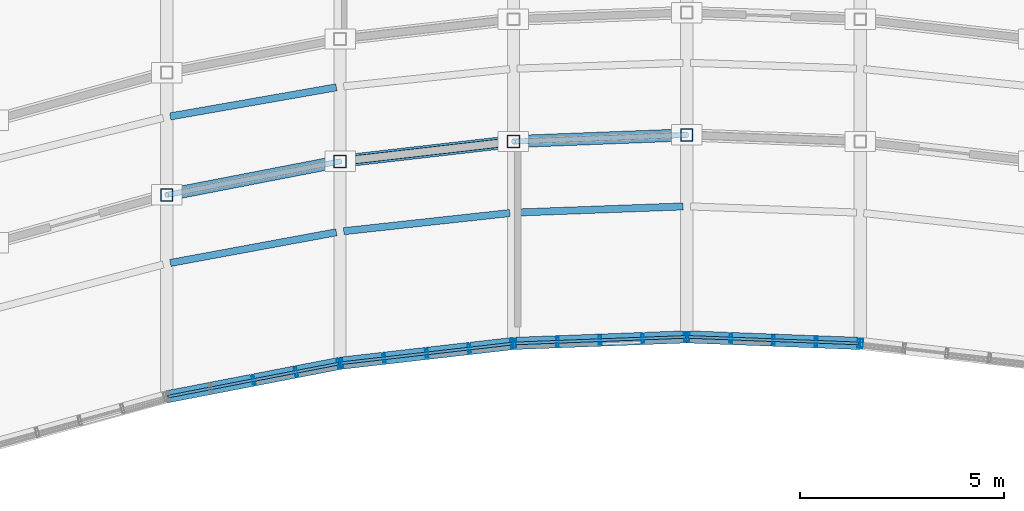
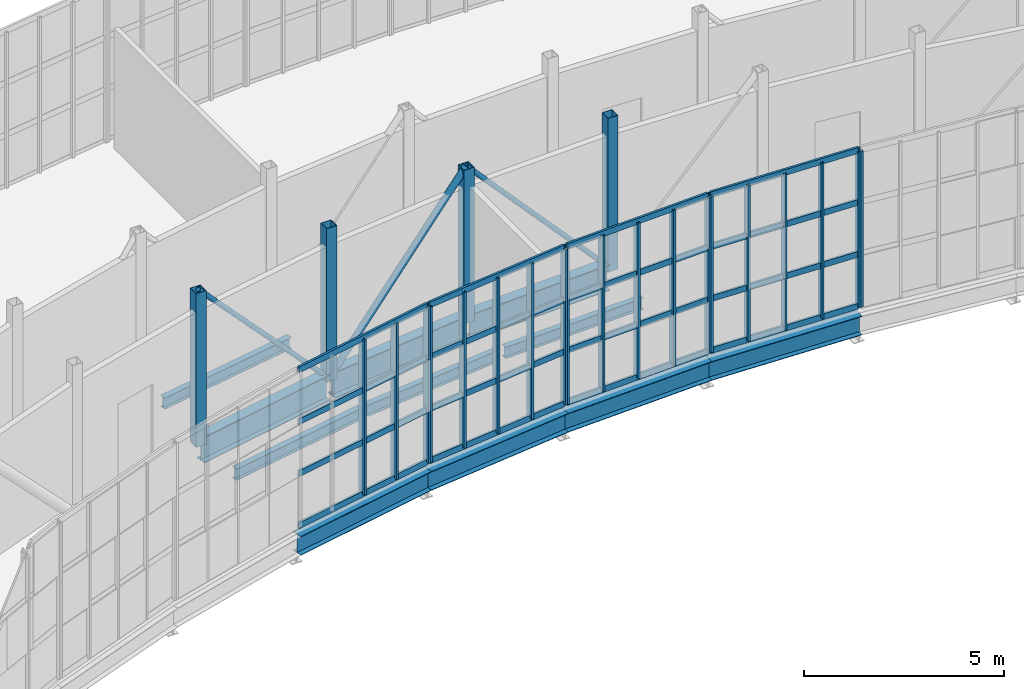
# One storey, part 19 of 66: 42 members, 11 beams, 5 elements without a shape of their own.
"""IFC4 building model written with IfcOpenShell, lengths in metres."""

from ifc_helpers import new_model, si_unit, direction, frame, origin, origin_2d, place, context, subcontext, project, spatial, hollow_rectangle, hollow_circle, i_section, extrude, material, material_profile, profile_set, type_object, element, aggregate, save


model = new_model("IFC4")

# Units and contexts
model_context = context("Model", 3, precision=1e-05, world=origin(), true_north=direction((0.0, 1.0)))
body_context = subcontext(model_context, "Body", "Model", "MODEL_VIEW")
ifc_project = project(units=[si_unit("LENGTHUNIT", "METRE"), si_unit("AREAUNIT", "SQUARE_METRE"), si_unit("VOLUMEUNIT", "CUBIC_METRE"), si_unit("PLANEANGLEUNIT", "RADIAN"), si_unit("MASSUNIT", "GRAM", prefix="KILO")], contexts=[model_context])

# Site, building, storey
site_placement = place(None, origin())
site = spatial("IfcSite", under=ifc_project, at=site_placement, CompositionType="ELEMENT")
building_placement = place(site_placement, origin())
building = spatial("IfcBuilding", under=site, at=building_placement, Name="Solvikara Media Centre", CompositionType="ELEMENT")
storey_placement = place(building_placement, frame((0.0, 0.0, 19.800048828125)))
storey = spatial("IfcBuildingStorey", under=building, at=storey_placement, Name="L04", CompositionType="ELEMENT", Elevation=19.800048828125)

# Beams
ifc_material_1 = material(Name="Steel S355JR", Category="steel")
ifc_material_profile_1 = material_profile(ifc_material_1, i_section(OverallWidth=0.300048828125, OverallDepth=0.800048828125, WebThickness=0.013916015625, FlangeThickness=0.02587890625, at=origin_2d()), Name="WF 800x300x14x26")
ifc_profile_set_1 = profile_set([ifc_material_profile_1], Name="Steel S355JR")
beam_type_1 = type_object("IfcBeamType", Name="BM-16", PredefinedType="BEAM", material=ifc_profile_set_1)
beam_1_placement = place(storey_placement, frame((89.337890625, 28.962890625, -0.6220703125), z_axis=(0.981801087979, 0.189912147171, 0.0), x_axis=(-0.189912147171, 0.981801087979, 0.0)))
element("IfcBeam", 1, at=beam_1_placement, inside=storey, type_object=beam_type_1, Name="B-L04-SPNS-03", PredefinedType="BEAM", context=body_context, shape_type="SweptSolid", body=[
    extrude(i_section(OverallWidth=0.300048828125, OverallDepth=0.800048828125, WebThickness=0.013916015625, FlangeThickness=0.02587890625, at=origin_2d()), origin(), (0.0, 0.0, 1.0), 4.149658203125),
])
beam_2_placement = place(storey_placement, frame((93.589111328125, 29.778076171875, -0.6220703125), z_axis=(0.993485932274, 0.113954826025, 0.0), x_axis=(-0.113954826025, 0.993485932274, 0.0)))
element("IfcBeam", 2, at=beam_2_placement, inside=storey, type_object=beam_type_1, Name="B-L04-SPNS-04", PredefinedType="BEAM", context=body_context, shape_type="SweptSolid", body=[
    extrude(i_section(OverallWidth=0.300048828125, OverallDepth=0.800048828125, WebThickness=0.013916015625, FlangeThickness=0.02587890625, at=origin_2d()), origin(), (0.0, 0.0, 1.0), 4.098388671875),
])
beam_3_placement = place(storey_placement, frame((97.840087890625, 30.258056640625, -0.6220703125), z_axis=(0.999266124753, 0.038304202383, 0.0), x_axis=(-0.038304202383, 0.999266124753, 0.0)))
element("IfcBeam", 3, at=beam_3_placement, inside=storey, type_object=beam_type_1, Name="B-L04-SPNS-05", PredefinedType="BEAM", context=body_context, shape_type="SweptSolid", body=[
    extrude(i_section(OverallWidth=0.300048828125, OverallDepth=0.800048828125, WebThickness=0.013916015625, FlangeThickness=0.02587890625, at=origin_2d()), origin(), (0.0, 0.0, 1.0), 4.07275390625),
])
ifc_material_profile_2 = material_profile(ifc_material_1, i_section(OverallWidth=0.175048828125, OverallDepth=0.35009765625, WebThickness=0.007080078125, FlangeThickness=0.010986328125, at=origin_2d()), Name="WF 350x175x7x11")
ifc_profile_set_2 = profile_set([ifc_material_profile_2], Name="Steel S355JR")
beam_type_2 = type_object("IfcBeamType", Name="BM-22", PredefinedType="JOIST", material=ifc_profile_set_2)
beam_4_placement = place(storey_placement, frame((89.339111328125, 27.279052734375, -0.39697265625), z_axis=(0.983371814175, 0.181603620797, 0.0), x_axis=(-0.181603620797, 0.983371814175, 0.0)))
element("IfcBeam", 4, at=beam_4_placement, inside=storey, type_object=beam_type_2, Name="BJ-L04-03-20", PredefinedType="JOIST", context=body_context, shape_type="SweptSolid", body=[
    extrude(i_section(OverallWidth=0.175048828125, OverallDepth=0.35009765625, WebThickness=0.007080078125, FlangeThickness=0.010986328125, at=origin_2d()), origin(), (0.0, 0.0, 1.0), 4.140625),
])
beam_5_placement = place(storey_placement, frame((89.339111328125, 30.87109375, -0.39697265625), z_axis=(0.985016925608, 0.172457694134, 0.0), x_axis=(-0.172457694134, 0.985016925608, 0.0)))
element("IfcBeam", 5, at=beam_5_placement, inside=storey, type_object=beam_type_2, Name="BJ-L04-03-42", PredefinedType="JOIST", context=body_context, shape_type="SweptSolid", body=[
    extrude(i_section(OverallWidth=0.175048828125, OverallDepth=0.35009765625, WebThickness=0.007080078125, FlangeThickness=0.010986328125, at=origin_2d()), origin(), (0.0, 0.0, 1.0), 4.1337890625),
])
beam_6_placement = place(storey_placement, frame((93.589111328125, 28.056884765625, -0.39697265625), z_axis=(0.994079138151, 0.108658488359, 0.0), x_axis=(-0.108658488359, 0.994079138151, 0.0)))
element("IfcBeam", 6, at=beam_6_placement, inside=storey, type_object=beam_type_2, Name="BJ-L04-04-20", PredefinedType="JOIST", context=body_context, shape_type="SweptSolid", body=[
    extrude(i_section(OverallWidth=0.175048828125, OverallDepth=0.35009765625, WebThickness=0.007080078125, FlangeThickness=0.010986328125, at=origin_2d()), origin(), (0.0, 0.0, 1.0), 4.095947265625),
])
beam_7_placement = place(storey_placement, frame((97.840087890625, 28.514892578125, -0.39697265625), z_axis=(0.999328966943, 0.036628074313, 0.0), x_axis=(-0.036628074313, 0.999328966943, 0.0)))
element("IfcBeam", 7, at=beam_7_placement, inside=storey, type_object=beam_type_2, Name="BJ-L04-05-20", PredefinedType="JOIST", context=body_context, shape_type="SweptSolid", body=[
    extrude(i_section(OverallWidth=0.175048828125, OverallDepth=0.35009765625, WebThickness=0.007080078125, FlangeThickness=0.010986328125, at=origin_2d()), origin(), (0.0, 0.0, 1.0), 4.072509765625),
])
ifc_material_profile_3 = material_profile(ifc_material_1, i_section(OverallWidth=0.300048828125, OverallDepth=0.58203125, WebThickness=0.011962890625, FlangeThickness=0.01708984375, at=origin_2d()), Name="WF 582x300x12x17")
ifc_profile_set_3 = profile_set([ifc_material_profile_3], Name="Steel S355JR")
beam_type_3 = type_object("IfcBeamType", Name="BM-31", PredefinedType="SPANDREL", material=ifc_profile_set_3)
beam_8_placement = place(storey_placement, frame((89.25, 23.99609375, -0.512939453125), z_axis=(0.981803941213, 0.189897396029, 0.0), x_axis=(-0.189897396029, 0.981803941213, 0.0)))
element("IfcBeam", 8, at=beam_8_placement, inside=storey, type_object=beam_type_3, Name="B-L04-SARC-03", PredefinedType="SPANDREL", context=body_context, shape_type="SweptSolid", body=[
    extrude(i_section(OverallWidth=0.300048828125, OverallDepth=0.58203125, WebThickness=0.011962890625, FlangeThickness=0.01708984375, at=origin_2d()), origin(), (0.0, 0.0, 1.0), 4.328857421875),
])
beam_9_placement = place(storey_placement, frame((93.5, 24.818115234375, -0.512939453125), z_axis=(0.993503575407, 0.113800903571, 0.0), x_axis=(-0.113800903571, 0.993503575407, 0.0)))
element("IfcBeam", 9, at=beam_9_placement, inside=storey, type_object=beam_type_3, Name="B-L04-SARC-04", PredefinedType="SPANDREL", context=body_context, shape_type="SweptSolid", body=[
    extrude(i_section(OverallWidth=0.300048828125, OverallDepth=0.58203125, WebThickness=0.011962890625, FlangeThickness=0.01708984375, at=origin_2d()), origin(), (0.0, 0.0, 1.0), 4.27783203125),
])
for number, where, z_axis, x_axis, name in (
    (10, (97.75, 25.304931640625, -0.512939453125), (0.999273334025, 0.038115664855, 0.0), (-0.038115664855, 0.999273334025, 0.0), "B-L04-SARC-05"),
    (11, (102.0, 25.467041015625, -0.512939453125), (0.999273334025, -0.038115664855, 0.0), (0.038115664855, 0.999273334025, 0.0), "B-L04-SARC-06"),
):
    element("IfcBeam", number, at=place(storey_placement, frame(where, z_axis=z_axis, x_axis=x_axis)), inside=storey, type_object=beam_type_3, Name=name, PredefinedType="SPANDREL", context=body_context, shape_type="SweptSolid", body=[
        extrude(i_section(OverallWidth=0.300048828125, OverallDepth=0.58203125, WebThickness=0.011962890625, FlangeThickness=0.01708984375, at=origin_2d()), origin(), (0.0, 0.0, 1.0), 4.253173828125),
    ])

# Members
ifc_material_profile_4 = material_profile(ifc_material_1, hollow_circle(Radius=0.096923828125, WallThickness=0.008056640625, at=origin_2d()), Name="CHS 193.7x8")
ifc_profile_set_4 = profile_set([ifc_material_profile_4], Name="Steel S355JR")
member_type_1 = type_object("IfcMemberType", Name="MB-06", PredefinedType="BRACE", material=ifc_profile_set_4)
member_1_placement = place(storey_placement, frame((93.5, 29.76806640625, -0.449951171875), z_axis=(0.668739862993, 0.076600832193, 0.739539930059), x_axis=(-0.113800903571, 0.993503575407, 0.0)))
element("IfcMember", 12, at=member_1_placement, inside=storey, type_object=member_type_1, Name="WTR-L04-S-DA04", PredefinedType="BRACE", context=body_context, shape_type="SweptSolid", body=[
    extrude(hollow_circle(Radius=0.096923828125, WallThickness=0.008056640625, at=origin_2d()), origin(), (0.0, 0.0, 1.0), 6.355224609375),
])
ifc_material_profile_5 = material_profile(ifc_material_1, hollow_circle(Radius=0.06982421875, WallThickness=0.00634765625, at=origin_2d()), Name="CHS 139.7x6.3")
ifc_profile_set_5 = profile_set([ifc_material_profile_5], Name="Steel S355JR")
member_type_2 = type_object("IfcMemberType", Name="MB-08", PredefinedType="BRACE", material=ifc_profile_set_5)
member_2_placement = place(storey_placement, frame((89.25, 28.946044921875, 4.25), z_axis=(0.665137067971, 0.128648696453, -0.735555704016), x_axis=(-0.189897396029, 0.981803941213, 0.0)))
element("IfcMember", 13, at=member_2_placement, inside=storey, type_object=member_type_2, Name="WTR-L04-S-DB03", PredefinedType="BRACE", context=body_context, shape_type="SweptSolid", body=[
    extrude(hollow_circle(Radius=0.06982421875, WallThickness=0.00634765625, at=origin_2d()), origin(), (0.0, 0.0, 1.0), 6.3896484375),
])
member_3_placement = place(storey_placement, frame((97.75, 30.2548828125, 4.25), z_axis=(0.67049113608, 0.025574799768, -0.741476611941), x_axis=(-0.038115664855, 0.999273334025, 0.0)))
element("IfcMember", 14, at=member_3_placement, inside=storey, type_object=member_type_2, Name="WTR-L04-S-DB05", PredefinedType="BRACE", context=body_context, shape_type="SweptSolid", body=[
    extrude(hollow_circle(Radius=0.06982421875, WallThickness=0.00634765625, at=origin_2d()), origin(), (0.0, 0.0, 1.0), 6.338623046875),
])
ifc_material_profile_6 = material_profile(ifc_material_1, hollow_rectangle(XDim=0.300048828125, YDim=0.300048828125, WallThickness=0.012451171875, at=origin_2d()), Name="RHS 300x300x12.5")
ifc_profile_set_6 = profile_set([ifc_material_profile_6], Name="Steel S355JR")
member_type_3 = type_object("IfcMemberType", Name="MB-11", PredefinedType="CHORD", material=ifc_profile_set_6)
for number, where, z_axis, x_axis, name in (
    (15, (89.25, 28.946044921875, -0.449951171875), (0.0, 0.0, 1.0), (1.0, 0.0, 0.0), "WTR-L04-S-V03"),
    (16, (93.5, 29.76806640625, -0.449951171875), (0.0, 0.0, 1.0), (1.0, 0.0, 0.0), "WTR-L04-S-V04"),
    (17, (97.75, 30.2548828125, -0.449951171875), (0.0, 0.0, 1.0), (1.0, 0.0, 0.0), "WTR-L04-S-V05"),
    (18, (102.0, 30.4169921875, -0.449951171875), (0.0, 0.0, 1.0), (1.0, 0.0, 0.0), "WTR-L04-S-V06"),
):
    element("IfcMember", number, at=place(storey_placement, frame(where, z_axis=z_axis, x_axis=x_axis)), inside=storey, type_object=member_type_3, Name=name, PredefinedType="CHORD", context=body_context, shape_type="SweptSolid", body=[
        extrude(hollow_rectangle(XDim=0.300048828125, YDim=0.300048828125, WallThickness=0.012451171875, at=origin_2d()), origin(), (0.0, 0.0, 1.0), 4.699951171875),
    ])

# Curtain wall, members
ifc_material_2 = material(Name="Anodised aluminium EN AW-6063", Category="aluminium")
curtain_wall_type = type_object("IfcCurtainWallType", Name="CW-01", PredefinedType="NOTDEFINED", material=ifc_material_2)
curtain_wall_1_placement = place(storey_placement, origin())
curtain_wall_1 = element("IfcCurtainWall", 19, at=curtain_wall_1_placement, inside=storey, type_object=curtain_wall_type, Name="CW-L04-SARC-03", PredefinedType="NOTDEFINED")
ifc_material_profile_7 = material_profile(ifc_material_2, hollow_rectangle(XDim=0.06494140625, YDim=0.219970703125, WallThickness=0.00390625, at=origin_2d()), Name="ALU-M 65x220x4")
ifc_profile_set_7 = profile_set([ifc_material_profile_7], Name="Anodised aluminium EN AW-6063")
member_type_4 = type_object("IfcMemberType", Name="MF-01", PredefinedType="MULLION", material=ifc_profile_set_7)
member_4_placement = place(storey_placement, frame((91.375, 24.406982421875, 0.02001953125), z_axis=(0.0, 0.0, 1.0), x_axis=(0.981843017659, 0.189695252114, 0.0)))
member_4 = element("IfcMember", 20, at=member_4_placement, type_object=member_type_4, Name="CW-L04-SARC-03-M02", PredefinedType="MULLION", context=body_context, shape_type="SweptSolid", body=[
    extrude(hollow_rectangle(XDim=0.06494140625, YDim=0.219970703125, WallThickness=0.00390625, at=origin_2d()), origin(), (0.0, 0.0, 1.0), 4.760009765625),
])
member_5_placement = place(storey_placement, frame((92.4208984375, 24.60888671875, 0.02001953125), z_axis=(0.0, 0.0, 1.0), x_axis=(0.981843017659, 0.189695252114, 0.0)))
member_5 = element("IfcMember", 21, at=member_5_placement, type_object=member_type_4, Name="CW-L04-SARC-03-M03", PredefinedType="MULLION", context=body_context, shape_type="SweptSolid", body=[
    extrude(hollow_rectangle(XDim=0.06494140625, YDim=0.219970703125, WallThickness=0.00390625, at=origin_2d()), origin(), (0.0, 0.0, 1.0), 4.760009765625),
])
member_6_placement = place(storey_placement, frame((93.466064453125, 24.81103515625, 0.02001953125), z_axis=(0.0, 0.0, 1.0), x_axis=(0.981843017659, 0.189695252114, 0.0)))
member_6 = element("IfcMember", 22, at=member_6_placement, type_object=member_type_4, Name="CW-L04-SARC-03-M04", PredefinedType="MULLION", context=body_context, shape_type="SweptSolid", body=[
    extrude(hollow_rectangle(XDim=0.06494140625, YDim=0.219970703125, WallThickness=0.00390625, at=origin_2d()), origin(), (0.0, 0.0, 1.0), 4.760009765625),
])

curtain_wall_2_placement = place(storey_placement, origin())
curtain_wall_2 = element("IfcCurtainWall", 23, at=curtain_wall_2_placement, inside=storey, type_object=curtain_wall_type, Name="CW-L04-SARC-04", PredefinedType="NOTDEFINED")
member_7_placement = place(storey_placement, frame((93.534912109375, 24.822021484375, 0.02001953125), z_axis=(0.0, 0.0, 1.0), x_axis=(0.993498545066, 0.113844810828, 0.0)))
member_7 = element("IfcMember", 24, at=member_7_placement, type_object=member_type_4, Name="CW-L04-SARC-04-M00", PredefinedType="MULLION", context=body_context, shape_type="SweptSolid", body=[
    extrude(hollow_rectangle(XDim=0.06494140625, YDim=0.219970703125, WallThickness=0.00390625, at=origin_2d()), origin(), (0.0, 0.0, 1.0), 4.760009765625),
])
member_8_placement = place(storey_placement, frame((94.580078125, 24.94189453125, 0.02001953125), z_axis=(0.0, 0.0, 1.0), x_axis=(0.993498545066, 0.113844810828, 0.0)))
member_8 = element("IfcMember", 25, at=member_8_placement, type_object=member_type_4, Name="CW-L04-SARC-04-M01", PredefinedType="MULLION", context=body_context, shape_type="SweptSolid", body=[
    extrude(hollow_rectangle(XDim=0.06494140625, YDim=0.219970703125, WallThickness=0.00390625, at=origin_2d()), origin(), (0.0, 0.0, 1.0), 4.760009765625),
])
member_9_placement = place(storey_placement, frame((95.625, 25.06201171875, 0.02001953125), z_axis=(0.0, 0.0, 1.0), x_axis=(0.993498545066, 0.113844810828, 0.0)))
member_9 = element("IfcMember", 26, at=member_9_placement, type_object=member_type_4, Name="CW-L04-SARC-04-M02", PredefinedType="MULLION", context=body_context, shape_type="SweptSolid", body=[
    extrude(hollow_rectangle(XDim=0.06494140625, YDim=0.219970703125, WallThickness=0.00390625, at=origin_2d()), origin(), (0.0, 0.0, 1.0), 4.760009765625),
])
member_10_placement = place(storey_placement, frame((96.669921875, 25.180908203125, 0.02001953125), z_axis=(0.0, 0.0, 1.0), x_axis=(0.993498545066, 0.113844810828, 0.0)))
member_10 = element("IfcMember", 27, at=member_10_placement, type_object=member_type_4, Name="CW-L04-SARC-04-M03", PredefinedType="MULLION", context=body_context, shape_type="SweptSolid", body=[
    extrude(hollow_rectangle(XDim=0.06494140625, YDim=0.219970703125, WallThickness=0.00390625, at=origin_2d()), origin(), (0.0, 0.0, 1.0), 4.760009765625),
])
member_11_placement = place(storey_placement, frame((97.715087890625, 25.301025390625, 0.02001953125), z_axis=(0.0, 0.0, 1.0), x_axis=(0.993498545066, 0.113844810828, 0.0)))
member_11 = element("IfcMember", 28, at=member_11_placement, type_object=member_type_4, Name="CW-L04-SARC-04-M04", PredefinedType="MULLION", context=body_context, shape_type="SweptSolid", body=[
    extrude(hollow_rectangle(XDim=0.06494140625, YDim=0.219970703125, WallThickness=0.00390625, at=origin_2d()), origin(), (0.0, 0.0, 1.0), 4.760009765625),
])

curtain_wall_3_placement = place(storey_placement, origin())
curtain_wall_3 = element("IfcCurtainWall", 29, at=curtain_wall_3_placement, inside=storey, type_object=curtain_wall_type, Name="CW-L04-SARC-05", PredefinedType="NOTDEFINED")
member_12_placement = place(storey_placement, frame((97.784912109375, 25.305908203125, 0.02001953125), z_axis=(0.0, 0.0, 1.0), x_axis=(0.999268266619, 0.03824828529, 0.0)))
member_12 = element("IfcMember", 30, at=member_12_placement, type_object=member_type_4, Name="CW-L04-SARC-05-M00", PredefinedType="MULLION", context=body_context, shape_type="SweptSolid", body=[
    extrude(hollow_rectangle(XDim=0.06494140625, YDim=0.219970703125, WallThickness=0.00390625, at=origin_2d()), origin(), (0.0, 0.0, 1.0), 4.760009765625),
])
member_13_placement = place(storey_placement, frame((98.830078125, 25.345947265625, 0.02001953125), z_axis=(0.0, 0.0, 1.0), x_axis=(0.999268266619, 0.03824828529, 0.0)))
member_13 = element("IfcMember", 31, at=member_13_placement, type_object=member_type_4, Name="CW-L04-SARC-05-M01", PredefinedType="MULLION", context=body_context, shape_type="SweptSolid", body=[
    extrude(hollow_rectangle(XDim=0.06494140625, YDim=0.219970703125, WallThickness=0.00390625, at=origin_2d()), origin(), (0.0, 0.0, 1.0), 4.760009765625),
])
member_14_placement = place(storey_placement, frame((99.875, 25.385986328125, 0.02001953125), z_axis=(0.0, 0.0, 1.0), x_axis=(0.999268266619, 0.03824828529, 0.0)))
member_14 = element("IfcMember", 32, at=member_14_placement, type_object=member_type_4, Name="CW-L04-SARC-05-M02", PredefinedType="MULLION", context=body_context, shape_type="SweptSolid", body=[
    extrude(hollow_rectangle(XDim=0.06494140625, YDim=0.219970703125, WallThickness=0.00390625, at=origin_2d()), origin(), (0.0, 0.0, 1.0), 4.760009765625),
])
member_15_placement = place(storey_placement, frame((100.919921875, 25.426025390625, 0.02001953125), z_axis=(0.0, 0.0, 1.0), x_axis=(0.999268266619, 0.03824828529, 0.0)))
member_15 = element("IfcMember", 33, at=member_15_placement, type_object=member_type_4, Name="CW-L04-SARC-05-M03", PredefinedType="MULLION", context=body_context, shape_type="SweptSolid", body=[
    extrude(hollow_rectangle(XDim=0.06494140625, YDim=0.219970703125, WallThickness=0.00390625, at=origin_2d()), origin(), (0.0, 0.0, 1.0), 4.760009765625),
])
member_16_placement = place(storey_placement, frame((101.965087890625, 25.466064453125, 0.02001953125), z_axis=(0.0, 0.0, 1.0), x_axis=(0.999268266619, 0.03824828529, 0.0)))
member_16 = element("IfcMember", 34, at=member_16_placement, type_object=member_type_4, Name="CW-L04-SARC-05-M04", PredefinedType="MULLION", context=body_context, shape_type="SweptSolid", body=[
    extrude(hollow_rectangle(XDim=0.06494140625, YDim=0.219970703125, WallThickness=0.00390625, at=origin_2d()), origin(), (0.0, 0.0, 1.0), 4.760009765625),
])

curtain_wall_4_placement = place(storey_placement, origin())
curtain_wall_4 = element("IfcCurtainWall", 35, at=curtain_wall_4_placement, inside=storey, type_object=curtain_wall_type, Name="CW-L04-SARC-06", PredefinedType="NOTDEFINED")
member_17_placement = place(storey_placement, frame((102.034912109375, 25.466064453125, 0.02001953125), z_axis=(0.0, 0.0, 1.0), x_axis=(0.999268266619, -0.03824828529, 0.0)))
member_17 = element("IfcMember", 36, at=member_17_placement, type_object=member_type_4, Name="CW-L04-SARC-06-M00", PredefinedType="MULLION", context=body_context, shape_type="SweptSolid", body=[
    extrude(hollow_rectangle(XDim=0.06494140625, YDim=0.219970703125, WallThickness=0.00390625, at=origin_2d()), origin(), (0.0, 0.0, 1.0), 4.760009765625),
])
member_18_placement = place(storey_placement, frame((103.080078125, 25.426025390625, 0.02001953125), z_axis=(0.0, 0.0, 1.0), x_axis=(0.999268266619, -0.03824828529, 0.0)))
member_18 = element("IfcMember", 37, at=member_18_placement, type_object=member_type_4, Name="CW-L04-SARC-06-M01", PredefinedType="MULLION", context=body_context, shape_type="SweptSolid", body=[
    extrude(hollow_rectangle(XDim=0.06494140625, YDim=0.219970703125, WallThickness=0.00390625, at=origin_2d()), origin(), (0.0, 0.0, 1.0), 4.760009765625),
])
member_19_placement = place(storey_placement, frame((104.125, 25.385986328125, 0.02001953125), z_axis=(0.0, 0.0, 1.0), x_axis=(0.999268266619, -0.03824828529, 0.0)))
member_19 = element("IfcMember", 38, at=member_19_placement, type_object=member_type_4, Name="CW-L04-SARC-06-M02", PredefinedType="MULLION", context=body_context, shape_type="SweptSolid", body=[
    extrude(hollow_rectangle(XDim=0.06494140625, YDim=0.219970703125, WallThickness=0.00390625, at=origin_2d()), origin(), (0.0, 0.0, 1.0), 4.760009765625),
])
member_20_placement = place(storey_placement, frame((105.169921875, 25.345947265625, 0.02001953125), z_axis=(0.0, 0.0, 1.0), x_axis=(0.999268266619, -0.03824828529, 0.0)))
member_20 = element("IfcMember", 39, at=member_20_placement, type_object=member_type_4, Name="CW-L04-SARC-06-M03", PredefinedType="MULLION", context=body_context, shape_type="SweptSolid", body=[
    extrude(hollow_rectangle(XDim=0.06494140625, YDim=0.219970703125, WallThickness=0.00390625, at=origin_2d()), origin(), (0.0, 0.0, 1.0), 4.760009765625),
])
member_21_placement = place(storey_placement, frame((106.215087890625, 25.305908203125, 0.02001953125), z_axis=(0.0, 0.0, 1.0), x_axis=(0.999268266619, -0.03824828529, 0.0)))
member_21 = element("IfcMember", 40, at=member_21_placement, type_object=member_type_4, Name="CW-L04-SARC-06-M04", PredefinedType="MULLION", context=body_context, shape_type="SweptSolid", body=[
    extrude(hollow_rectangle(XDim=0.06494140625, YDim=0.219970703125, WallThickness=0.00390625, at=origin_2d()), origin(), (0.0, 0.0, 1.0), 4.760009765625),
])

# Curtain wall, member
curtain_wall_5_placement = place(storey_placement, origin())
curtain_wall_5 = element("IfcCurtainWall", 41, at=curtain_wall_5_placement, inside=storey, type_object=curtain_wall_type, Name="CW-L04-SARC-07", PredefinedType="NOTDEFINED")
member_22_placement = place(storey_placement, frame((106.284912109375, 25.301025390625, 0.02001953125), z_axis=(0.0, 0.0, 1.0), x_axis=(0.993498545066, -0.113844810828, 0.0)))
member_22 = element("IfcMember", 42, at=member_22_placement, type_object=member_type_4, Name="CW-L04-SARC-07-M00", PredefinedType="MULLION", context=body_context, shape_type="SweptSolid", body=[
    extrude(hollow_rectangle(XDim=0.06494140625, YDim=0.219970703125, WallThickness=0.00390625, at=origin_2d()), origin(), (0.0, 0.0, 1.0), 4.760009765625),
])
aggregate(curtain_wall_5, [member_22])

# Member
ifc_material_profile_8 = material_profile(ifc_material_2, hollow_rectangle(XDim=0.06494140625, YDim=0.179931640625, WallThickness=0.00341796875, at=origin_2d()), Name="ALU-T 65x180x3.5")
ifc_profile_set_8 = profile_set([ifc_material_profile_8], Name="Anodised aluminium EN AW-6063")
member_type_5 = type_object("IfcMemberType", Name="MF-07", PredefinedType="USERDEFINED", material=ifc_profile_set_8)
member_23_placement = place(storey_placement, frame((89.283935546875, 24.0029296875, 0.02001953125), z_axis=(0.981838442996, 0.189718928565, 0.0), x_axis=(-0.189718928565, 0.981838442996, 0.0)))
member_23 = element("IfcMember", 43, at=member_23_placement, type_object=member_type_5, Name="CW-L04-SARC-03-T00", ObjectType="TRANSOM", PredefinedType="USERDEFINED", context=body_context, shape_type="SweptSolid", body=[
    extrude(hollow_rectangle(XDim=0.06494140625, YDim=0.179931640625, WallThickness=0.00341796875, at=origin_2d()), origin(), (0.0, 0.0, 1.0), 4.259521484375),
])

member_24_placement = place(storey_placement, frame((89.283935546875, 24.0029296875, 1.60693359375), z_axis=(0.981838442996, 0.189718928565, 0.0), x_axis=(-0.189718928565, 0.981838442996, 0.0)))
member_24 = element("IfcMember", 44, at=member_24_placement, type_object=member_type_5, Name="CW-L04-SARC-03-T01", ObjectType="TRANSOM", PredefinedType="USERDEFINED", context=body_context, shape_type="SweptSolid", body=[
    extrude(hollow_rectangle(XDim=0.06494140625, YDim=0.179931640625, WallThickness=0.00341796875, at=origin_2d()), origin(), (0.0, 0.0, 1.0), 4.259521484375),
])

member_25_placement = place(storey_placement, frame((89.283935546875, 24.0029296875, 3.19287109375), z_axis=(0.981838442996, 0.189718928565, 0.0), x_axis=(-0.189718928565, 0.981838442996, 0.0)))
member_25 = element("IfcMember", 45, at=member_25_placement, type_object=member_type_5, Name="CW-L04-SARC-03-T02", ObjectType="TRANSOM", PredefinedType="USERDEFINED", context=body_context, shape_type="SweptSolid", body=[
    extrude(hollow_rectangle(XDim=0.06494140625, YDim=0.179931640625, WallThickness=0.00341796875, at=origin_2d()), origin(), (0.0, 0.0, 1.0), 4.259521484375),
])

member_26_placement = place(storey_placement, frame((89.283935546875, 24.0029296875, 4.780029296875), z_axis=(0.981838442996, 0.189718928565, 0.0), x_axis=(-0.189718928565, 0.981838442996, 0.0)))
member_26 = element("IfcMember", 46, at=member_26_placement, type_object=member_type_5, Name="CW-L04-SARC-03-T03", ObjectType="TRANSOM", PredefinedType="USERDEFINED", context=body_context, shape_type="SweptSolid", body=[
    extrude(hollow_rectangle(XDim=0.06494140625, YDim=0.179931640625, WallThickness=0.00341796875, at=origin_2d()), origin(), (0.0, 0.0, 1.0), 4.259521484375),
])

aggregate(curtain_wall_1, [member_4, member_5, member_6, member_23, member_24, member_25, member_26])

member_27_placement = place(storey_placement, frame((93.534912109375, 24.822021484375, 0.02001953125), z_axis=(0.993498589361, 0.113844424269, 0.0), x_axis=(-0.113844424269, 0.993498589361, 0.0)))
member_27 = element("IfcMember", 47, at=member_27_placement, type_object=member_type_5, Name="CW-L04-SARC-04-T00", ObjectType="TRANSOM", PredefinedType="USERDEFINED", context=body_context, shape_type="SweptSolid", body=[
    extrude(hollow_rectangle(XDim=0.06494140625, YDim=0.179931640625, WallThickness=0.00341796875, at=origin_2d()), origin(), (0.0, 0.0, 1.0), 4.20751953125),
])

member_28_placement = place(storey_placement, frame((93.534912109375, 24.822021484375, 1.60693359375), z_axis=(0.993498589361, 0.113844424269, 0.0), x_axis=(-0.113844424269, 0.993498589361, 0.0)))
member_28 = element("IfcMember", 48, at=member_28_placement, type_object=member_type_5, Name="CW-L04-SARC-04-T01", ObjectType="TRANSOM", PredefinedType="USERDEFINED", context=body_context, shape_type="SweptSolid", body=[
    extrude(hollow_rectangle(XDim=0.06494140625, YDim=0.179931640625, WallThickness=0.00341796875, at=origin_2d()), origin(), (0.0, 0.0, 1.0), 4.20751953125),
])

member_29_placement = place(storey_placement, frame((93.534912109375, 24.822021484375, 3.19287109375), z_axis=(0.993498589361, 0.113844424269, 0.0), x_axis=(-0.113844424269, 0.993498589361, 0.0)))
member_29 = element("IfcMember", 49, at=member_29_placement, type_object=member_type_5, Name="CW-L04-SARC-04-T02", ObjectType="TRANSOM", PredefinedType="USERDEFINED", context=body_context, shape_type="SweptSolid", body=[
    extrude(hollow_rectangle(XDim=0.06494140625, YDim=0.179931640625, WallThickness=0.00341796875, at=origin_2d()), origin(), (0.0, 0.0, 1.0), 4.20751953125),
])

member_30_placement = place(storey_placement, frame((93.534912109375, 24.822021484375, 4.780029296875), z_axis=(0.993498589361, 0.113844424269, 0.0), x_axis=(-0.113844424269, 0.993498589361, 0.0)))
member_30 = element("IfcMember", 50, at=member_30_placement, type_object=member_type_5, Name="CW-L04-SARC-04-T03", ObjectType="TRANSOM", PredefinedType="USERDEFINED", context=body_context, shape_type="SweptSolid", body=[
    extrude(hollow_rectangle(XDim=0.06494140625, YDim=0.179931640625, WallThickness=0.00341796875, at=origin_2d()), origin(), (0.0, 0.0, 1.0), 4.20751953125),
])

aggregate(curtain_wall_2, [member_7, member_8, member_9, member_10, member_11, member_27, member_28, member_29, member_30])

member_31_placement = place(storey_placement, frame((97.784912109375, 25.305908203125, 0.02001953125), z_axis=(0.999266853288, 0.038285191903, 0.0), x_axis=(-0.038285191903, 0.999266853288, 0.0)))
member_31 = element("IfcMember", 51, at=member_31_placement, type_object=member_type_5, Name="CW-L04-SARC-05-T00", ObjectType="TRANSOM", PredefinedType="USERDEFINED", context=body_context, shape_type="SweptSolid", body=[
    extrude(hollow_rectangle(XDim=0.06494140625, YDim=0.179931640625, WallThickness=0.00341796875, at=origin_2d()), origin(), (0.0, 0.0, 1.0), 4.183349609375),
])

member_32_placement = place(storey_placement, frame((97.784912109375, 25.305908203125, 1.60693359375), z_axis=(0.999266853288, 0.038285191903, 0.0), x_axis=(-0.038285191903, 0.999266853288, 0.0)))
member_32 = element("IfcMember", 52, at=member_32_placement, type_object=member_type_5, Name="CW-L04-SARC-05-T01", ObjectType="TRANSOM", PredefinedType="USERDEFINED", context=body_context, shape_type="SweptSolid", body=[
    extrude(hollow_rectangle(XDim=0.06494140625, YDim=0.179931640625, WallThickness=0.00341796875, at=origin_2d()), origin(), (0.0, 0.0, 1.0), 4.183349609375),
])

member_33_placement = place(storey_placement, frame((97.784912109375, 25.305908203125, 3.19287109375), z_axis=(0.999266853288, 0.038285191903, 0.0), x_axis=(-0.038285191903, 0.999266853288, 0.0)))
member_33 = element("IfcMember", 53, at=member_33_placement, type_object=member_type_5, Name="CW-L04-SARC-05-T02", ObjectType="TRANSOM", PredefinedType="USERDEFINED", context=body_context, shape_type="SweptSolid", body=[
    extrude(hollow_rectangle(XDim=0.06494140625, YDim=0.179931640625, WallThickness=0.00341796875, at=origin_2d()), origin(), (0.0, 0.0, 1.0), 4.183349609375),
])

member_34_placement = place(storey_placement, frame((97.784912109375, 25.305908203125, 4.780029296875), z_axis=(0.999266853288, 0.038285191903, 0.0), x_axis=(-0.038285191903, 0.999266853288, 0.0)))
member_34 = element("IfcMember", 54, at=member_34_placement, type_object=member_type_5, Name="CW-L04-SARC-05-T03", ObjectType="TRANSOM", PredefinedType="USERDEFINED", context=body_context, shape_type="SweptSolid", body=[
    extrude(hollow_rectangle(XDim=0.06494140625, YDim=0.179931640625, WallThickness=0.00341796875, at=origin_2d()), origin(), (0.0, 0.0, 1.0), 4.183349609375),
])

aggregate(curtain_wall_3, [member_12, member_13, member_14, member_15, member_16, member_31, member_32, member_33, member_34])

member_35_placement = place(storey_placement, frame((102.034912109375, 25.466064453125, 0.02001953125), z_axis=(0.999266853288, -0.038285191903, 0.0), x_axis=(0.038285191903, 0.999266853288, 0.0)))
member_35 = element("IfcMember", 55, at=member_35_placement, type_object=member_type_5, Name="CW-L04-SARC-06-T00", ObjectType="TRANSOM", PredefinedType="USERDEFINED", context=body_context, shape_type="SweptSolid", body=[
    extrude(hollow_rectangle(XDim=0.06494140625, YDim=0.179931640625, WallThickness=0.00341796875, at=origin_2d()), origin(), (0.0, 0.0, 1.0), 4.183349609375),
])

member_36_placement = place(storey_placement, frame((102.034912109375, 25.466064453125, 1.60693359375), z_axis=(0.999266853288, -0.038285191903, 0.0), x_axis=(0.038285191903, 0.999266853288, 0.0)))
member_36 = element("IfcMember", 56, at=member_36_placement, type_object=member_type_5, Name="CW-L04-SARC-06-T01", ObjectType="TRANSOM", PredefinedType="USERDEFINED", context=body_context, shape_type="SweptSolid", body=[
    extrude(hollow_rectangle(XDim=0.06494140625, YDim=0.179931640625, WallThickness=0.00341796875, at=origin_2d()), origin(), (0.0, 0.0, 1.0), 4.183349609375),
])

member_37_placement = place(storey_placement, frame((102.034912109375, 25.466064453125, 3.19287109375), z_axis=(0.999266853288, -0.038285191903, 0.0), x_axis=(0.038285191903, 0.999266853288, 0.0)))
member_37 = element("IfcMember", 57, at=member_37_placement, type_object=member_type_5, Name="CW-L04-SARC-06-T02", ObjectType="TRANSOM", PredefinedType="USERDEFINED", context=body_context, shape_type="SweptSolid", body=[
    extrude(hollow_rectangle(XDim=0.06494140625, YDim=0.179931640625, WallThickness=0.00341796875, at=origin_2d()), origin(), (0.0, 0.0, 1.0), 4.183349609375),
])

member_38_placement = place(storey_placement, frame((102.034912109375, 25.466064453125, 4.780029296875), z_axis=(0.999266853288, -0.038285191903, 0.0), x_axis=(0.038285191903, 0.999266853288, 0.0)))
member_38 = element("IfcMember", 58, at=member_38_placement, type_object=member_type_5, Name="CW-L04-SARC-06-T03", ObjectType="TRANSOM", PredefinedType="USERDEFINED", context=body_context, shape_type="SweptSolid", body=[
    extrude(hollow_rectangle(XDim=0.06494140625, YDim=0.179931640625, WallThickness=0.00341796875, at=origin_2d()), origin(), (0.0, 0.0, 1.0), 4.183349609375),
])

aggregate(curtain_wall_4, [member_17, member_18, member_19, member_20, member_21, member_35, member_36, member_37, member_38])

save(model, "model.ifc")
